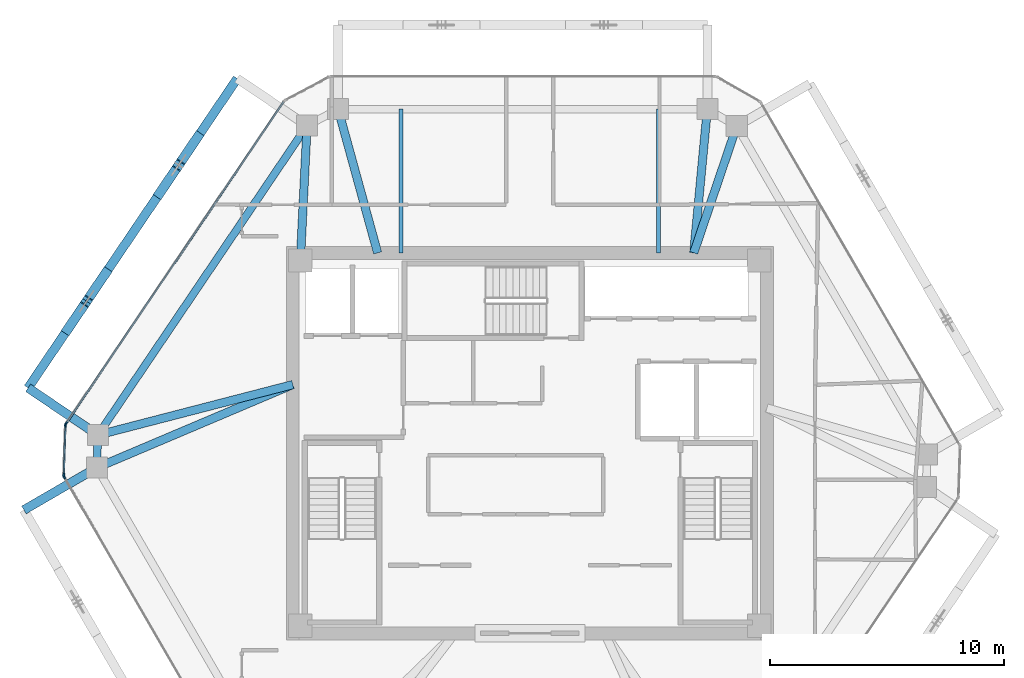
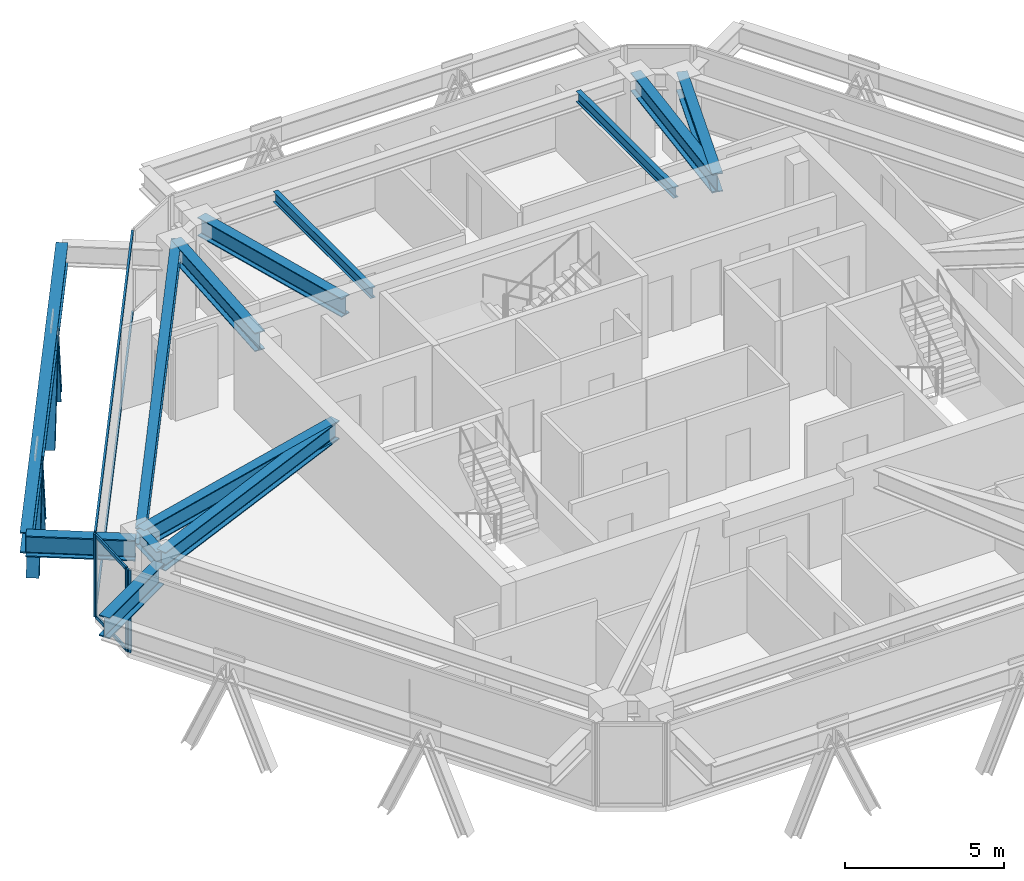
# One storey, part 4 of 13: 13 beams, 12 members, 3 elements without a shape of their own.
"""IFC4 building model written with IfcOpenShell, lengths in metres."""

from ifc_helpers import new_model, si_unit, direction, frame, origin, origin_2d, place, context, subcontext, project, spatial, rectangle, i_section, extrude, source, transform, mapped, material, layer, layer_set, material_profile, profile_set, type_object, type_shapes, element, aggregate, save


model = new_model("IFC4")

# Units and contexts
model_context = context("Model", 3, precision=1e-05, world=origin(), true_north=direction((0.0, 1.0)))
body_context = subcontext(model_context, "Body", "Model", "MODEL_VIEW")
ifc_project = project(units=[si_unit("LENGTHUNIT", "METRE"), si_unit("AREAUNIT", "SQUARE_METRE"), si_unit("VOLUMEUNIT", "CUBIC_METRE"), si_unit("PLANEANGLEUNIT", "RADIAN"), si_unit("MASSUNIT", "GRAM", prefix="KILO")], contexts=[model_context])

# Site, building, storey
site_placement = place(None, origin())
site = spatial("IfcSite", under=ifc_project, at=site_placement, CompositionType="ELEMENT")
building_placement = place(site_placement, origin())
building = spatial("IfcBuilding", under=site, at=building_placement, Name="Durnholm Broadcast Tower", CompositionType="ELEMENT")
storey_placement = place(building_placement, frame((0.0, 0.0, 254.699951171875)))
storey = spatial("IfcBuildingStorey", under=building, at=storey_placement, Name="L71", CompositionType="ELEMENT", Elevation=254.699951171875)

# Beams
ifc_material_1 = material(Name="Steel ASTM A992 Grade 50", Category="steel")
ifc_material_profile_1 = material_profile(ifc_material_1, i_section(OverallWidth=0.385009765625, OverallDepth=0.802978515625, WebThickness=0.023681640625, FlangeThickness=0.0419921875, FilletRadius=0.032958984375, at=origin_2d()), Name="W30X261")
ifc_profile_set_1 = profile_set([ifc_material_profile_1], Name="Steel ASTM A992 Grade 50")
beam_type_1 = type_object("IfcBeamType", Name="BM-EXO-TIE", PredefinedType="USERDEFINED", material=ifc_profile_set_1)
shared_shape_1 = source(origin(), body_context, "Body", "SweptSolid", [
    extrude(i_section(OverallWidth=0.385009765625, OverallDepth=0.802978515625, WebThickness=0.023681640625, FlangeThickness=0.0419921875, FilletRadius=0.032958984375, at=origin_2d()), origin(), (0.0, 0.0, 1.0), 3.4560546875),
])
for number, where, z_axis, x_axis, name in (
    (1, (-18.565673828125, 0.426513671875, 2.408447265625), (-0.828413564093, 0.56011692246, 0.0), (-0.56011692246, -0.828413564093, 0.0), "L71 exoskeleton stand-off tie bracket F5.2"),
    (2, (-18.618896484375, -1.1201171875, 2.408447265625), (-0.864876013532, -0.501985538852, 0.0), (0.501985538852, -0.864876013532, 0.0), "L71 exoskeleton stand-off tie bracket F6.1"),
):
    element("IfcBeam", number, at=place(storey_placement, frame(where, z_axis=z_axis, x_axis=x_axis)), inside=storey, type_object=beam_type_1, Name=name, ObjectType="GIRDER", PredefinedType="USERDEFINED", context=body_context, shape_type="MappedRepresentation", body=[
        mapped(shared_shape_1, transform((0.0, 0.0, 0.0), x_axis=(1.0, 0.0, 0.0), y_axis=(0.0, 1.0, 0.0), z_axis=(0.0, 0.0, 1.0), scale=1.0)),
    ])
ifc_material_profile_2 = material_profile(ifc_material_1, i_section(OverallWidth=0.3251953125, OverallDepth=0.6162109375, WebThickness=0.013916015625, FlangeThickness=0.021484375, FilletRadius=0.02783203125, at=origin_2d()), Name="W24X117")
ifc_profile_set_2 = profile_set([ifc_material_profile_2], Name="Steel ASTM A992 Grade 50")
beam_type_2 = type_object("IfcBeamType", Name="STL-SP-W24X117", PredefinedType="SPANDREL", material=ifc_profile_set_2)
shared_shape_2 = source(origin(), body_context, "Body", "SweptSolid", [
    extrude(i_section(OverallWidth=0.3251953125, OverallDepth=0.6162109375, WebThickness=0.013916015625, FlangeThickness=0.021484375, FilletRadius=0.02783203125, at=origin_2d()), origin(), (0.0, 0.0, 1.0), 1.39453125),
])
beam_1_placement = place(storey_placement, frame((-18.494384765625, -1.0478515625, 2.8369140625), z_axis=(0.034486393061, 0.999405167434, 0.0), x_axis=(-0.999405167434, 0.034486393061, 0.0)))
element("IfcBeam", 3, at=beam_1_placement, inside=storey, type_object=beam_type_2, Name="L71 perimeter spandrel girder 02", PredefinedType="SPANDREL", context=body_context, shape_type="MappedRepresentation", body=[
    mapped(shared_shape_2, transform((0.0, 0.0, 0.0), x_axis=(1.0, 0.0, 0.0), y_axis=(0.0, 1.0, 0.0), z_axis=(0.0, 0.0, 1.0), scale=1.0)),
])
shared_shape_3 = source(origin(), body_context, "Body", "SweptSolid", [
    extrude(i_section(OverallWidth=0.3251953125, OverallDepth=0.6162109375, WebThickness=0.013916015625, FlangeThickness=0.021484375, FilletRadius=0.02783203125, at=origin_2d()), origin(), (0.0, 0.0, 1.0), 15.947265625),
])
type_shapes(beam_type_2, [shared_shape_2, shared_shape_3])
beam_2_placement = place(storey_placement, frame((-18.4462890625, 0.345947265625, 2.8369140625), z_axis=(0.560062212489, 0.828450552623, 0.0), x_axis=(-0.828450552623, 0.560062212489, 0.0)))
element("IfcBeam", 4, at=beam_2_placement, inside=storey, type_object=beam_type_2, Name="L71 perimeter spandrel girder 03", PredefinedType="SPANDREL", context=body_context, shape_type="MappedRepresentation", body=[
    mapped(shared_shape_3, transform((0.0, 0.0, 0.0), x_axis=(1.0, 0.0, 0.0), y_axis=(0.0, 1.0, 0.0), z_axis=(0.0, 0.0, 1.0), scale=1.0)),
])
ifc_material_profile_3 = material_profile(ifc_material_1, i_section(OverallWidth=0.3564453125, OverallDepth=0.713623046875, WebThickness=0.01904296875, FlangeThickness=0.033935546875, FilletRadius=0.030517578125, at=origin_2d()), Name="W27X194")
ifc_profile_set_3 = profile_set([ifc_material_profile_3], Name="Steel ASTM A992 Grade 50")
beam_type_3 = type_object("IfcBeamType", Name="STL-GR-W27X194", PredefinedType="USERDEFINED", material=ifc_profile_set_3)
shared_shape_4 = source(origin(), body_context, "Body", "SweptSolid", [
    extrude(i_section(OverallWidth=0.3564453125, OverallDepth=0.713623046875, WebThickness=0.01904296875, FlangeThickness=0.033935546875, FilletRadius=0.030517578125, at=origin_2d()), origin(), (0.0, 0.0, 1.0), 5.764404296875),
])
beam_3_placement = place(storey_placement, frame((-9.800048828125, 7.800048828125, 2.788330078125), z_axis=(0.049468662109, 0.99877567625, 0.0), x_axis=(-0.99877567625, 0.049468662109, 0.0)))
element("IfcBeam", 5, at=beam_3_placement, inside=storey, type_object=beam_type_3, Name="L71 radial primary floor girder 04", ObjectType="GIRDER", PredefinedType="USERDEFINED", context=body_context, shape_type="MappedRepresentation", body=[
    mapped(shared_shape_4, transform((0.0, 0.0, 0.0), x_axis=(1.0, 0.0, 0.0), y_axis=(0.0, 1.0, 0.0), z_axis=(0.0, 0.0, 1.0), scale=1.0)),
])
shared_shape_5 = source(origin(), body_context, "Body", "SweptSolid", [
    extrude(i_section(OverallWidth=0.385009765625, OverallDepth=0.802978515625, WebThickness=0.023681640625, FlangeThickness=0.0419921875, FilletRadius=0.032958984375, at=origin_2d()), origin(), (0.0, 0.0, 1.0), 15.947021484375),
])
type_shapes(beam_type_1, [shared_shape_1, shared_shape_5])
beam_4_placement = place(storey_placement, frame((-12.497314453125, 15.573486328125, 2.408447265625), z_axis=(-0.560069315853, -0.828445750451, 0.0), x_axis=(0.828445750451, -0.560069315853, 0.0)))
element("IfcBeam", 6, at=beam_4_placement, inside=storey, type_object=beam_type_1, Name="L71 exoskeleton collector spandrel F5", PredefinedType="SPANDREL", context=body_context, shape_type="MappedRepresentation", body=[
    mapped(shared_shape_5, transform((0.0, 0.0, 0.0), x_axis=(1.0, 0.0, 0.0), y_axis=(0.0, 1.0, 0.0), z_axis=(0.0, 0.0, 1.0), scale=1.0)),
])
shared_shape_6 = source(origin(), body_context, "Body", "SweptSolid", [
    extrude(i_section(OverallWidth=0.3564453125, OverallDepth=0.713623046875, WebThickness=0.01904296875, FlangeThickness=0.033935546875, FilletRadius=0.030517578125, at=origin_2d()), origin(), (0.0, 0.0, 1.0), 9.09033203125),
])
beam_5_placement = place(storey_placement, frame((-10.125, 2.5, 2.788330078125), z_axis=(-0.920692350722, -0.390289117607, 0.0), x_axis=(0.390289117607, -0.920692350722, 0.0)))
element("IfcBeam", 7, at=beam_5_placement, inside=storey, type_object=beam_type_3, Name="L71 radial primary floor girder 02", ObjectType="GIRDER", PredefinedType="USERDEFINED", context=body_context, shape_type="MappedRepresentation", body=[
    mapped(shared_shape_6, transform((0.0, 0.0, 0.0), x_axis=(1.0, 0.0, 0.0), y_axis=(0.0, 1.0, 0.0), z_axis=(0.0, 0.0, 1.0), scale=1.0)),
])
shared_shape_7 = source(origin(), body_context, "Body", "SweptSolid", [
    extrude(i_section(OverallWidth=0.3564453125, OverallDepth=0.713623046875, WebThickness=0.01904296875, FlangeThickness=0.033935546875, FilletRadius=0.030517578125, at=origin_2d()), origin(), (0.0, 0.0, 1.0), 8.595458984375),
])
beam_6_placement = place(storey_placement, frame((-10.125, 2.5, 2.788330078125), z_axis=(-0.968090619149, -0.250600385306, 0.0), x_axis=(0.250600385306, -0.968090619149, 0.0)))
element("IfcBeam", 8, at=beam_6_placement, inside=storey, type_object=beam_type_3, Name="L71 radial primary floor girder 03", ObjectType="GIRDER", PredefinedType="USERDEFINED", context=body_context, shape_type="MappedRepresentation", body=[
    mapped(shared_shape_7, transform((0.0, 0.0, 0.0), x_axis=(1.0, 0.0, 0.0), y_axis=(0.0, 1.0, 0.0), z_axis=(0.0, 0.0, 1.0), scale=1.0)),
])
shared_shape_8 = source(origin(), body_context, "Body", "SweptSolid", [
    extrude(i_section(OverallWidth=0.3564453125, OverallDepth=0.713623046875, WebThickness=0.01904296875, FlangeThickness=0.033935546875, FilletRadius=0.030517578125, at=origin_2d()), origin(), (0.0, 0.0, 1.0), 6.36474609375),
])
beam_7_placement = place(storey_placement, frame((-6.5, 8.125, 2.788330078125), z_axis=(-0.265168072834, 0.96420220553, 0.0), x_axis=(-0.96420220553, -0.265168072834, 0.0)))
element("IfcBeam", 9, at=beam_7_placement, inside=storey, type_object=beam_type_3, Name="L71 radial primary floor girder 05", ObjectType="GIRDER", PredefinedType="USERDEFINED", context=body_context, shape_type="MappedRepresentation", body=[
    mapped(shared_shape_8, transform((0.0, 0.0, 0.0), x_axis=(1.0, 0.0, 0.0), y_axis=(0.0, 1.0, 0.0), z_axis=(0.0, 0.0, 1.0), scale=1.0)),
])
shared_shape_9 = source(origin(), body_context, "Body", "SweptSolid", [
    extrude(i_section(OverallWidth=0.3564453125, OverallDepth=0.713623046875, WebThickness=0.01904296875, FlangeThickness=0.033935546875, FilletRadius=0.030517578125, at=origin_2d()), origin(), (0.0, 0.0, 1.0), 6.164306640625),
])
beam_8_placement = place(storey_placement, frame((7.0, 8.125, 2.788330078125), z_axis=(0.094024068139, 0.995569924521, 0.0), x_axis=(-0.995569924521, 0.094024068139, 0.0)))
element("IfcBeam", 10, at=beam_8_placement, inside=storey, type_object=beam_type_3, Name="L71 radial primary floor girder 06", ObjectType="GIRDER", PredefinedType="USERDEFINED", context=body_context, shape_type="MappedRepresentation", body=[
    mapped(shared_shape_9, transform((0.0, 0.0, 0.0), x_axis=(1.0, 0.0, 0.0), y_axis=(0.0, 1.0, 0.0), z_axis=(0.0, 0.0, 1.0), scale=1.0)),
])
shared_shape_10 = source(origin(), body_context, "Body", "SweptSolid", [
    extrude(i_section(OverallWidth=0.3564453125, OverallDepth=0.713623046875, WebThickness=0.01904296875, FlangeThickness=0.033935546875, FilletRadius=0.030517578125, at=origin_2d()), origin(), (0.0, 0.0, 1.0), 5.716064453125),
])
type_shapes(beam_type_3, [shared_shape_4, shared_shape_6, shared_shape_7, shared_shape_8, shared_shape_9, shared_shape_10])
beam_9_placement = place(storey_placement, frame((7.0, 8.125, 2.788330078125), z_axis=(0.321450919754, 0.946926241156, 0.0), x_axis=(-0.946926241156, 0.321450919754, 0.0)))
element("IfcBeam", 11, at=beam_9_placement, inside=storey, type_object=beam_type_3, Name="L71 radial primary floor girder 07", ObjectType="GIRDER", PredefinedType="USERDEFINED", context=body_context, shape_type="MappedRepresentation", body=[
    mapped(shared_shape_10, transform((0.0, 0.0, 0.0), x_axis=(1.0, 0.0, 0.0), y_axis=(0.0, 1.0, 0.0), z_axis=(0.0, 0.0, 1.0), scale=1.0)),
])
ifc_material_profile_4 = material_profile(ifc_material_1, i_section(OverallWidth=0.177734375, OverallDepth=0.40673828125, WebThickness=0.0078125, FlangeThickness=0.0126953125, FilletRadius=0.01904296875, at=origin_2d()), Name="W16X40")
ifc_profile_set_4 = profile_set([ifc_material_profile_4], Name="Steel ASTM A992 Grade 50")
beam_type_4 = type_object("IfcBeamType", Name="STL-BJ-W16X40", PredefinedType="JOIST", material=ifc_profile_set_4)
shared_shape_11 = source(origin(), body_context, "Body", "SweptSolid", [
    extrude(i_section(OverallWidth=0.177734375, OverallDepth=0.40673828125, WebThickness=0.0078125, FlangeThickness=0.0126953125, FilletRadius=0.01904296875, at=origin_2d()), origin(), (0.0, 0.0, 1.0), 6.136962890625),
])
type_shapes(beam_type_4, [shared_shape_11])
for number, where, z_axis, x_axis, name in (
    (12, (-5.5, 8.125, 2.941650390625), (0.0, 1.0, 0.0), (-1.0, 0.0, 0.0), "L71 secondary floor joist 3.2"),
    (13, (5.5, 8.125, 2.941650390625), (0.0, 1.0, 0.0), (-1.0, 0.0, 0.0), "L71 secondary floor joist 4.2"),
):
    element("IfcBeam", number, at=place(storey_placement, frame(where, z_axis=z_axis, x_axis=x_axis)), inside=storey, type_object=beam_type_4, Name=name, PredefinedType="JOIST", context=body_context, shape_type="MappedRepresentation", body=[
        mapped(shared_shape_11, transform((0.0, 0.0, 0.0), x_axis=(1.0, 0.0, 0.0), y_axis=(0.0, 1.0, 0.0), z_axis=(0.0, 0.0, 1.0), scale=1.0)),
    ])

# Members
ifc_material_2 = material(Name="Steel ASTM A913 Grade 65", Category="steel")
ifc_material_profile_5 = material_profile(ifc_material_2, i_section(OverallWidth=0.40625, OverallDepth=0.416015625, WebThickness=0.02978515625, FlangeThickness=0.048095703125, FilletRadius=0.030517578125, at=origin_2d()), Name="W14X257")
ifc_profile_set_5 = profile_set([ifc_material_profile_5], Name="Steel ASTM A913 Grade 65")
member_type_1 = type_object("IfcMemberType", Name="STL-DG-W14X257", PredefinedType="BRACE", material=ifc_profile_set_5)
shared_shape_12 = source(origin(), body_context, "Body", "SweptSolid", [
    extrude(i_section(OverallWidth=0.40625, OverallDepth=0.416015625, WebThickness=0.02978515625, FlangeThickness=0.048095703125, FilletRadius=0.030517578125, at=origin_2d()), origin(), (0.0, 0.0, 1.0), 3.699462890625),
])
type_shapes(member_type_1, [shared_shape_12])
for number, where, z_axis, x_axis, name in (
    (14, (-14.181396484375, 13.08251953125, -0.991455078125), (-0.220747552847, -0.32660078895, 0.919022547367), (0.828505003222, -0.559981660089, 0.0), "L71 stand-off diagrid brace F5.D1.1"),
    (15, (-15.814697265625, 10.666259765625, -0.991455078125), (0.220752310393, 0.326541833132, 0.919042354122), (-0.828452496411, 0.560059337206, 0.0), "L71 stand-off diagrid brace F5.D1.2"),
    (16, (-18.111328125, 7.269287109375, -0.991455078125), (-0.220752310393, -0.326541833132, 0.919042354122), (0.828452496411, -0.560059337206, 0.0), "L71 stand-off diagrid brace F5.D2.1"),
    (17, (-19.74462890625, 4.853271484375, -0.991455078125), (0.220752310393, 0.326541833132, 0.919042354122), (-0.828452496411, 0.560059337206, 0.0), "L71 stand-off diagrid brace F5.D2.2"),
):
    element("IfcMember", number, at=place(storey_placement, frame(where, z_axis=z_axis, x_axis=x_axis)), inside=storey, type_object=member_type_1, Name=name, PredefinedType="BRACE", context=body_context, shape_type="MappedRepresentation", body=[
        mapped(shared_shape_12, transform((0.0, 0.0, 0.0), x_axis=(1.0, 0.0, 0.0), y_axis=(0.0, 1.0, 0.0), z_axis=(0.0, 0.0, 1.0), scale=1.0)),
    ])

# Curtain wall, members
ifc_material_3 = material(Name="Aluminium and Solar Control IGU", Category="aluminium")
ifc_layer_1 = layer(ifc_material_3, 0.1650390625)
ifc_layer_set_1 = layer_set([ifc_layer_1], Name="Aluminium and Solar Control IGU")
curtain_wall_type_1 = type_object("IfcCurtainWallType", Name="CW-SYS-5", PredefinedType="NOTDEFINED", material=ifc_layer_set_1)
curtain_wall_1_placement = place(storey_placement, origin())
curtain_wall_1 = element("IfcCurtainWall", 18, at=curtain_wall_1_placement, inside=storey, type_object=curtain_wall_type_1, Name="L71 curtain wall CW-CORNER CW-L71-CRN-01", PredefinedType="NOTDEFINED")
ifc_material_4 = material(Name="Aluminium 6063-T6", Category="aluminium")
ifc_material_profile_6 = material_profile(ifc_material_4, rectangle(XDim=0.06494140625, YDim=0.1298828125, at=origin_2d()), Name="CWT65X130")
ifc_profile_set_6 = profile_set([ifc_material_profile_6], Name="Aluminium 6063-T6")
member_type_2 = type_object("IfcMemberType", Name="CW-SYS-5-TRN", PredefinedType="USERDEFINED", material=ifc_profile_set_6)
shared_shape_13 = source(origin(), body_context, "Body", "SweptSolid", [
    extrude(rectangle(XDim=0.06494140625, YDim=0.1298828125, at=origin_2d()), origin(), (0.0, 0.0, 1.0), 2.070068359375),
])
type_shapes(member_type_2, [shared_shape_13])
member_1_placement = place(storey_placement, frame((-19.905029296875, -1.33740234375, 0.032470703125), z_axis=(0.034320104965, 0.999410891673, 0.0), x_axis=(-0.999410891673, 0.034320104965, 0.0)))
member_1 = element("IfcMember", 19, at=member_1_placement, type_object=member_type_2, Name="CW-CORNER transom 1.1", ObjectType="TRANSOM", PredefinedType="USERDEFINED", context=body_context, shape_type="MappedRepresentation", body=[
    mapped(shared_shape_13, transform((0.0, 0.0, 0.0), x_axis=(1.0, 0.0, 0.0), y_axis=(0.0, 1.0, 0.0), z_axis=(0.0, 0.0, 1.0), scale=1.0)),
])
member_2_placement = place(storey_placement, frame((-19.905029296875, -1.33740234375, 3.12744140625), z_axis=(0.034320104965, 0.999410891673, 0.0), x_axis=(-0.999410891673, 0.034320104965, 0.0)))
member_2 = element("IfcMember", 20, at=member_2_placement, type_object=member_type_2, Name="CW-CORNER transom 1.2", ObjectType="TRANSOM", PredefinedType="USERDEFINED", context=body_context, shape_type="MappedRepresentation", body=[
    mapped(shared_shape_13, transform((0.0, 0.0, 0.0), x_axis=(1.0, 0.0, 0.0), y_axis=(0.0, 1.0, 0.0), z_axis=(0.0, 0.0, 1.0), scale=1.0)),
])

ifc_layer_2 = layer(ifc_material_3, 0.18994140625)
ifc_layer_set_2 = layer_set([ifc_layer_2], Name="Aluminium and Solar Control IGU")
curtain_wall_type_2 = type_object("IfcCurtainWallType", Name="CW-SYS-4", PredefinedType="NOTDEFINED", material=ifc_layer_set_2)
curtain_wall_2_placement = place(storey_placement, origin())
curtain_wall_2 = element("IfcCurtainWall", 21, at=curtain_wall_2_placement, inside=storey, type_object=curtain_wall_type_2, Name="L71 curtain wall CW-Z34-VIS CW-L71-F02", PredefinedType="NOTDEFINED")
ifc_material_profile_7 = material_profile(ifc_material_4, rectangle(XDim=0.070068359375, YDim=0.14990234375, at=origin_2d()), Name="CWT70X150")
ifc_profile_set_7 = profile_set([ifc_material_profile_7], Name="Aluminium 6063-T6")
member_type_3 = type_object("IfcMemberType", Name="CW-SYS-4-TRN", PredefinedType="USERDEFINED", material=ifc_profile_set_7)
shared_shape_14 = source(origin(), body_context, "Body", "SweptSolid", [
    extrude(rectangle(XDim=0.070068359375, YDim=0.14990234375, at=origin_2d()), origin(), (0.0, 0.0, 1.0), 16.55859375),
])
type_shapes(member_type_3, [shared_shape_14])
member_3_placement = place(storey_placement, frame((-19.79248046875, 0.8544921875, 0.03515625), z_axis=(0.560071338091, 0.828444383317, 0.0), x_axis=(-0.828444383317, 0.560071338091, 0.0)))
member_3 = element("IfcMember", 22, at=member_3_placement, type_object=member_type_3, Name="CW-Z34-VIS transom 1.1", ObjectType="TRANSOM", PredefinedType="USERDEFINED", context=body_context, shape_type="MappedRepresentation", body=[
    mapped(shared_shape_14, transform((0.0, 0.0, 0.0), x_axis=(1.0, 0.0, 0.0), y_axis=(0.0, 1.0, 0.0), z_axis=(0.0, 0.0, 1.0), scale=1.0)),
])
member_4_placement = place(storey_placement, frame((-19.79248046875, 0.8544921875, 3.125), z_axis=(0.560071338091, 0.828444383317, 0.0), x_axis=(-0.828444383317, 0.560071338091, 0.0)))
member_4 = element("IfcMember", 23, at=member_4_placement, type_object=member_type_3, Name="CW-Z34-VIS transom 1.2", ObjectType="TRANSOM", PredefinedType="USERDEFINED", context=body_context, shape_type="MappedRepresentation", body=[
    mapped(shared_shape_14, transform((0.0, 0.0, 0.0), x_axis=(1.0, 0.0, 0.0), y_axis=(0.0, 1.0, 0.0), z_axis=(0.0, 0.0, 1.0), scale=1.0)),
])

# Member
ifc_material_profile_8 = material_profile(ifc_material_4, rectangle(XDim=0.06494140625, YDim=0.1650390625, at=origin_2d()), Name="CWM65X165")
ifc_profile_set_8 = profile_set([ifc_material_profile_8], Name="Aluminium 6063-T6")
member_type_4 = type_object("IfcMemberType", Name="CW-SYS-5-MUL", PredefinedType="MULLION", material=ifc_profile_set_8)
shared_shape_15 = source(origin(), body_context, "Body", "SweptSolid", [
    extrude(rectangle(XDim=0.06494140625, YDim=0.1650390625, at=origin_2d()), origin(), (0.0, 0.0, 1.0), 3.16015625),
])
type_shapes(member_type_4, [shared_shape_15])
member_5_placement = place(storey_placement, frame((-19.90625, -1.369873046875, 0.0), z_axis=(0.0, 0.0, 1.0), x_axis=(-0.999410955514, 0.034318245849, 0.0)))
member_5 = element("IfcMember", 24, at=member_5_placement, type_object=member_type_4, Name="CW-CORNER mullion 1", PredefinedType="MULLION", context=body_context, shape_type="MappedRepresentation", body=[
    mapped(shared_shape_15, transform((0.0, 0.0, 0.0), x_axis=(1.0, 0.0, 0.0), y_axis=(0.0, 1.0, 0.0), z_axis=(0.0, 0.0, 1.0), scale=1.0)),
])

member_6_placement = place(storey_placement, frame((-19.8330078125, 0.763916015625, 0.0), z_axis=(0.0, 0.0, 1.0), x_axis=(-0.999410955514, 0.034318245849, 0.0)))
member_6 = element("IfcMember", 25, at=member_6_placement, type_object=member_type_4, Name="CW-CORNER mullion 2", PredefinedType="MULLION", context=body_context, shape_type="MappedRepresentation", body=[
    mapped(shared_shape_15, transform((0.0, 0.0, 0.0), x_axis=(1.0, 0.0, 0.0), y_axis=(0.0, 1.0, 0.0), z_axis=(0.0, 0.0, 1.0), scale=1.0)),
])

aggregate(curtain_wall_1, [member_5, member_6, member_1, member_2])

ifc_material_profile_9 = material_profile(ifc_material_4, rectangle(XDim=0.070068359375, YDim=0.18994140625, at=origin_2d()), Name="CWM70X190")
ifc_profile_set_9 = profile_set([ifc_material_profile_9], Name="Aluminium 6063-T6")
member_type_5 = type_object("IfcMemberType", Name="CW-SYS-4-MUL", PredefinedType="MULLION", material=ifc_profile_set_9)
shared_shape_16 = source(origin(), body_context, "Body", "SweptSolid", [
    extrude(rectangle(XDim=0.070068359375, YDim=0.18994140625, at=origin_2d()), origin(), (0.0, 0.0, 1.0), 3.16015625),
])
type_shapes(member_type_5, [shared_shape_16])
member_7_placement = place(storey_placement, frame((-19.812255859375, 0.825439453125, 0.0), z_axis=(0.0, 0.0, 1.0), x_axis=(-0.828443431662, 0.560072745753, 0.0)))
member_7 = element("IfcMember", 26, at=member_7_placement, type_object=member_type_5, Name="CW-Z34-VIS mullion 1", PredefinedType="MULLION", context=body_context, shape_type="MappedRepresentation", body=[
    mapped(shared_shape_16, transform((0.0, 0.0, 0.0), x_axis=(1.0, 0.0, 0.0), y_axis=(0.0, 1.0, 0.0), z_axis=(0.0, 0.0, 1.0), scale=1.0)),
])

aggregate(curtain_wall_2, [member_7, member_3, member_4])

# Curtain wall, member
curtain_wall_3_placement = place(storey_placement, origin())
curtain_wall_3 = element("IfcCurtainWall", 27, at=curtain_wall_3_placement, inside=storey, type_object=curtain_wall_type_2, Name="L71 curtain wall CW-Z34-VIS CW-L71-F12", PredefinedType="NOTDEFINED")
member_8_placement = place(storey_placement, frame((-19.8896484375, -1.4326171875, 0.0), z_axis=(0.0, 0.0, 1.0), x_axis=(-0.864899883824, -0.50194441023, 0.0)))
member_8 = element("IfcMember", 28, at=member_8_placement, type_object=member_type_5, Name="CW-Z34-VIS mullion 2", PredefinedType="MULLION", context=body_context, shape_type="MappedRepresentation", body=[
    mapped(shared_shape_16, transform((0.0, 0.0, 0.0), x_axis=(1.0, 0.0, 0.0), y_axis=(0.0, 1.0, 0.0), z_axis=(0.0, 0.0, 1.0), scale=1.0)),
])
aggregate(curtain_wall_3, [member_8])

save(model, "model.ifc")
